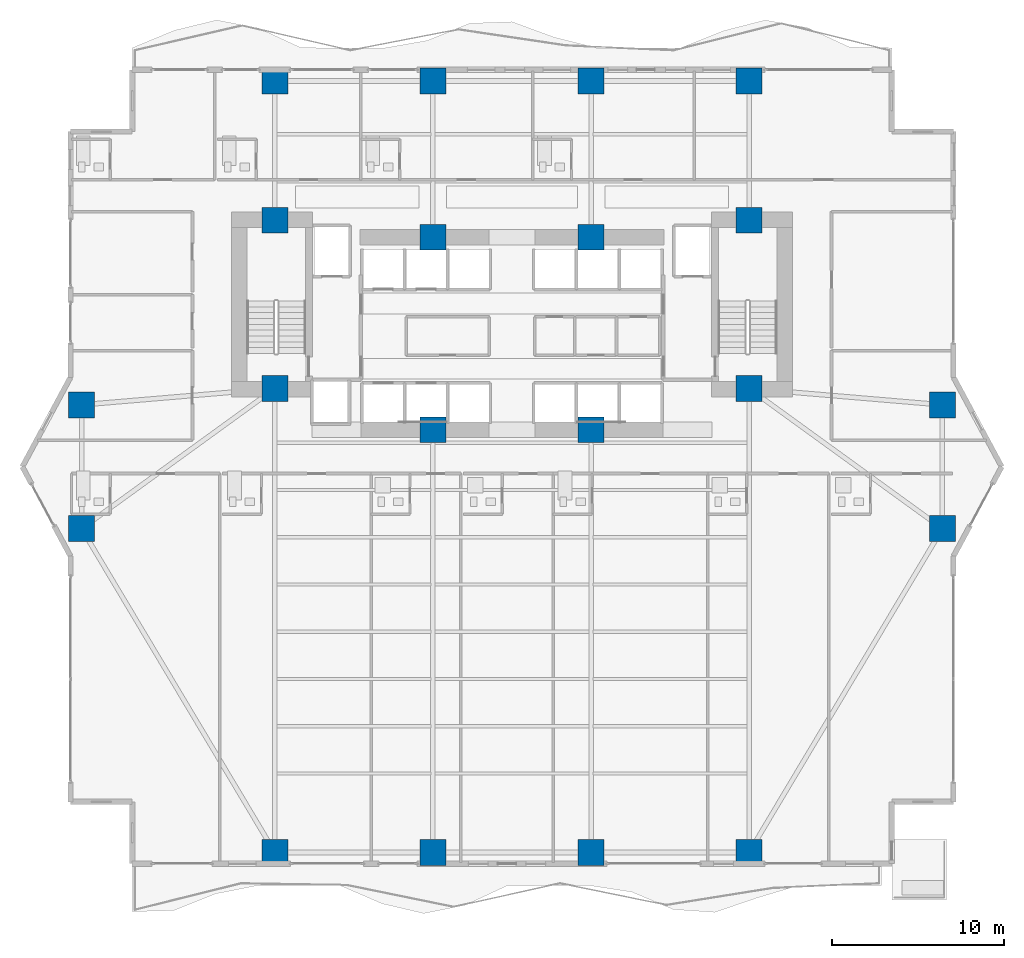
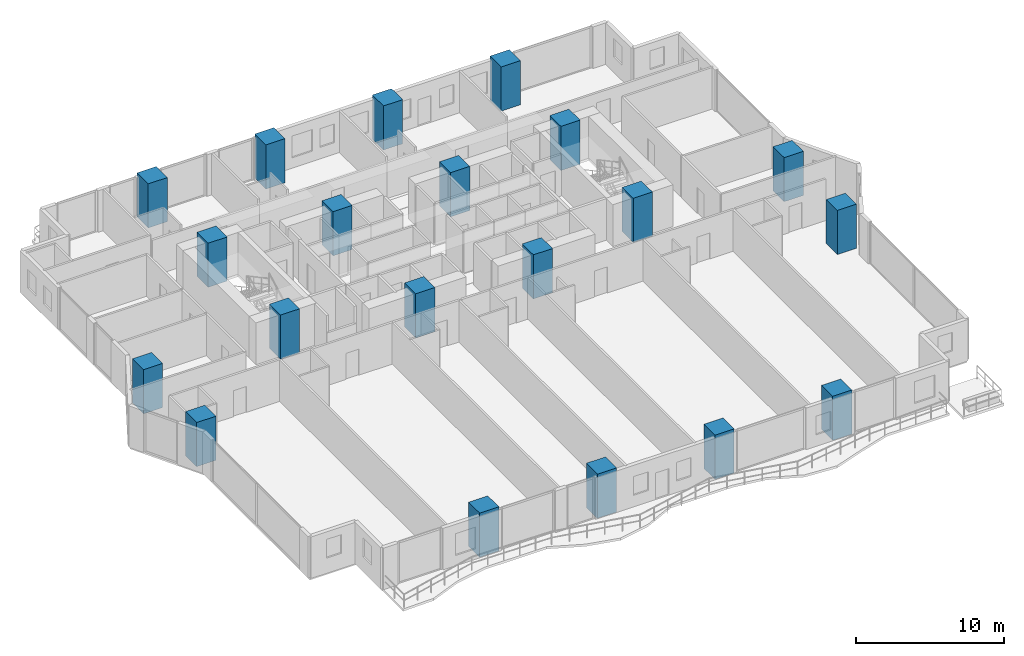
# One storey, part 1 of 29: 20 columns.
"""IFC4 building model written with IfcOpenShell, lengths in metres."""

from ifc_helpers import new_model, si_unit, direction, frame, origin, origin_2d, place, context, subcontext, project, spatial, rectangle, extrude, material, material_profile, profile_set, type_object, element, save


model = new_model("IFC4")

# Units and contexts
model_context = context("Model", 3, precision=1e-05, world=origin(), true_north=direction((0.0, 1.0)))
body_context = subcontext(model_context, "Body", "Model", "MODEL_VIEW")
ifc_project = project(units=[si_unit("LENGTHUNIT", "METRE"), si_unit("AREAUNIT", "SQUARE_METRE"), si_unit("VOLUMEUNIT", "CUBIC_METRE"), si_unit("PLANEANGLEUNIT", "RADIAN"), si_unit("MASSUNIT", "GRAM", prefix="KILO")], contexts=[model_context])

# Site, building, storey
site_placement = place(None, origin())
site = spatial("IfcSite", under=ifc_project, at=site_placement, CompositionType="ELEMENT")
building_placement = place(site_placement, origin())
building = spatial("IfcBuilding", under=site, at=building_placement, Name="Zuhayl Quay Hotel", CompositionType="ELEMENT")
storey_placement = place(building_placement, frame((0.0, 0.0, 38.550048828125)))
storey = spatial("IfcBuildingStorey", under=building, at=storey_placement, Name="L08", CompositionType="ELEMENT", Elevation=38.550048828125)

# Columns
ifc_material = material(Name="Concrete C70/85", Category="concrete")
ifc_material_profile_1 = material_profile(ifc_material, rectangle(XDim=1.5, YDim=1.5, at=origin_2d()), Name="RC1500X1500")
ifc_profile_set_1 = profile_set([ifc_material_profile_1], Name="Concrete C70/85")
column_type_1 = type_object("IfcColumnType", Name="CL_CC1_1500", PredefinedType="COLUMN", material=ifc_profile_set_1)
for number, where, z_axis, x_axis, name in (
    (1, (-13.800048828125, 14.35009765625, 0.0), (0.0, 0.0, 1.0), (1.0, 0.0, 0.0), "L08 Core Column CC_NW"),
    (2, (-4.60009765625, 13.35009765625, 0.0), (0.0, 0.0, 1.0), (1.0, 0.0, 0.0), "L08 Core Column CC_CNW"),
    (3, (4.60009765625, 13.35009765625, 0.0), (0.0, 0.0, 1.0), (1.0, 0.0, 0.0), "L08 Core Column CC_CNE"),
    (4, (13.800048828125, 14.35009765625, 0.0), (0.0, 0.0, 1.0), (1.0, 0.0, 0.0), "L08 Core Column CC_NE"),
    (5, (-13.800048828125, 4.550048828125, 0.0), (0.0, 0.0, 1.0), (1.0, 0.0, 0.0), "L08 Core Column CC_SW"),
    (6, (-4.60009765625, 2.14990234375, 0.0), (0.0, 0.0, 1.0), (1.0, 0.0, 0.0), "L08 Core Column CC_CSW"),
    (7, (4.60009765625, 2.14990234375, 0.0), (0.0, 0.0, 1.0), (1.0, 0.0, 0.0), "L08 Core Column CC_CSE"),
    (8, (13.800048828125, 4.550048828125, 0.0), (0.0, 0.0, 1.0), (1.0, 0.0, 0.0), "L08 Core Column CC_SE"),
):
    element("IfcColumn", number, at=place(storey_placement, frame(where, z_axis=z_axis, x_axis=x_axis)), inside=storey, type_object=column_type_1, Name=name, PredefinedType="COLUMN", context=body_context, shape_type="SweptSolid", body=[
        extrude(rectangle(XDim=1.5, YDim=1.5, at=origin_2d()), origin(), (0.0, 0.0, 1.0), 3.64990234375),
    ])
ifc_material_profile_2 = material_profile(ifc_material, rectangle(XDim=1.5, YDim=1.5, at=origin_2d()), Name="RC1500X1500")
ifc_profile_set_2 = profile_set([ifc_material_profile_2], Name="Concrete C70/85")
column_type_2 = type_object("IfcColumnType", Name="CL_MC1_1500", PredefinedType="COLUMN", material=ifc_profile_set_2)
for number, where, z_axis, x_axis, name in (
    (9, (-13.800048828125, -22.449951171875, 0.0), (0.0, 0.0, 1.0), (1.0, 0.0, 0.0), "L08 Mega-Column MC_S1"),
    (10, (-4.60009765625, -22.449951171875, 0.0), (0.0, 0.0, 1.0), (1.0, 0.0, 0.0), "L08 Mega-Column MC_S2"),
    (11, (4.60009765625, -22.449951171875, 0.0), (0.0, 0.0, 1.0), (1.0, 0.0, 0.0), "L08 Mega-Column MC_S3"),
    (12, (13.800048828125, -22.449951171875, 0.0), (0.0, 0.0, 1.0), (1.0, 0.0, 0.0), "L08 Mega-Column MC_S4"),
    (13, (-13.800048828125, 22.449951171875, 0.0), (0.0, 0.0, 1.0), (1.0, 0.0, 0.0), "L08 Mega-Column MC_N1"),
    (14, (-4.60009765625, 22.449951171875, 0.0), (0.0, 0.0, 1.0), (1.0, 0.0, 0.0), "L08 Mega-Column MC_N2"),
    (15, (4.60009765625, 22.449951171875, 0.0), (0.0, 0.0, 1.0), (1.0, 0.0, 0.0), "L08 Mega-Column MC_N3"),
    (16, (13.800048828125, 22.449951171875, 0.0), (0.0, 0.0, 1.0), (1.0, 0.0, 0.0), "L08 Mega-Column MC_N4"),
    (17, (-25.050048828125, -3.60009765625, 0.0), (0.0, 0.0, 1.0), (1.0, 0.0, 0.0), "L08 Mega-Column MC_W1"),
    (18, (-25.050048828125, 3.60009765625, 0.0), (0.0, 0.0, 1.0), (1.0, 0.0, 0.0), "L08 Mega-Column MC_W2"),
    (19, (25.050048828125, -3.60009765625, 0.0), (0.0, 0.0, 1.0), (1.0, 0.0, 0.0), "L08 Mega-Column MC_E1"),
    (20, (25.050048828125, 3.60009765625, 0.0), (0.0, 0.0, 1.0), (1.0, 0.0, 0.0), "L08 Mega-Column MC_E2"),
):
    element("IfcColumn", number, at=place(storey_placement, frame(where, z_axis=z_axis, x_axis=x_axis)), inside=storey, type_object=column_type_2, Name=name, PredefinedType="COLUMN", context=body_context, shape_type="SweptSolid", body=[
        extrude(rectangle(XDim=1.5, YDim=1.5, at=origin_2d()), origin(), (0.0, 0.0, 1.0), 3.64990234375),
    ])

save(model, "model.ifc")
